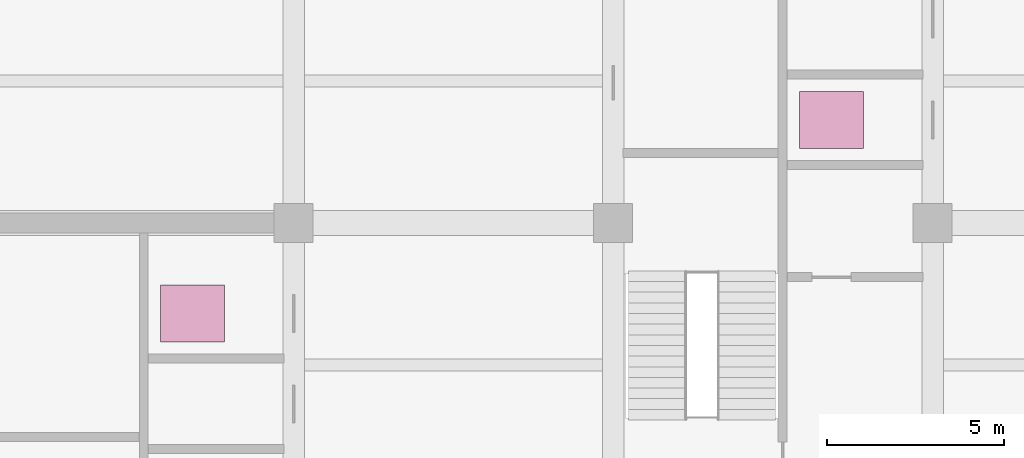
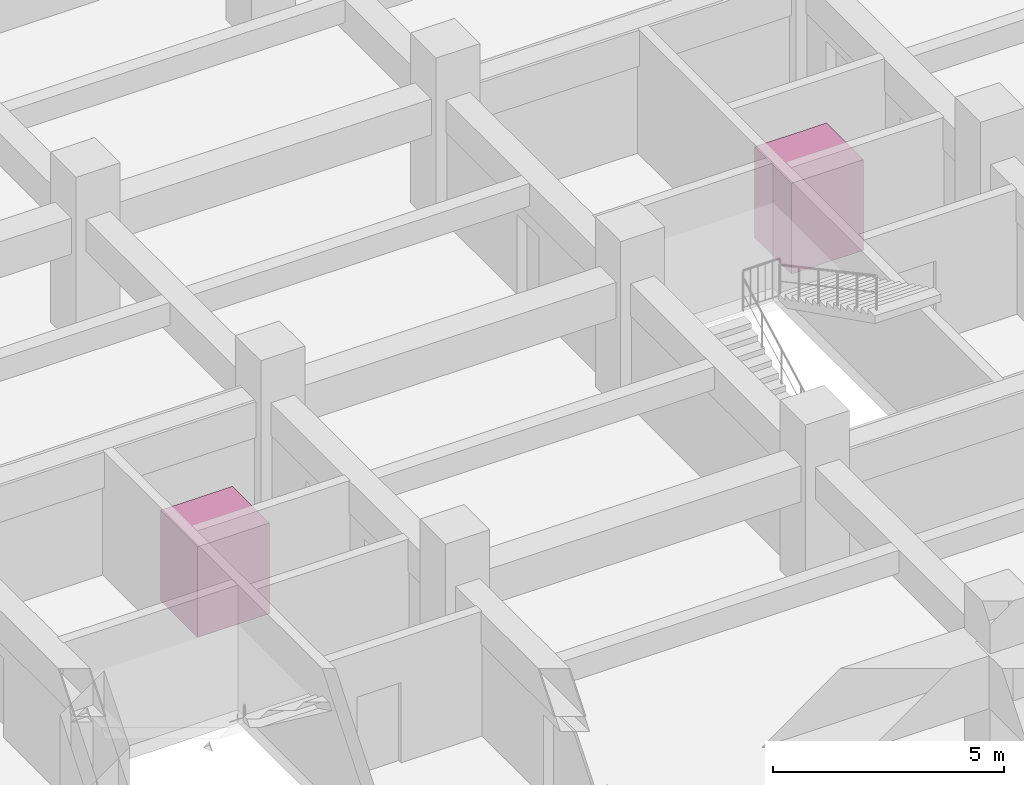
# One storey, part 40 of 40: 2 transport elements.
"""IFC4 building model written with IfcOpenShell, lengths in metres."""

import ifcopenshell
import ifcopenshell.guid

model = None  # the IFC model being written
_history = None  # IfcOwnerHistory: only IFC2X3 demands one
_inside = {}  # id of a spatial element -> (the spatial element, [elements in it])
_under = {}  # id of a project, library or spatial element -> (it, [spatial elements below it])
_declared = {}  # id of a project -> (the project, [libraries it declares])
_typed = {}  # id of a type object -> (the type object, [elements of that type])
_made_of = {}  # id of a material, layer set ... -> (it, [elements and type objects made of it])


def new_model(schema):
    """Start an empty IFC model of exactly this schema.

    Asked for "IFC4X3", IfcOpenShell would pick the latest addendum, in which some entities
    have other attributes; the version numbers below select the first issue.
    IFC2X3 requires an IfcOwnerHistory on every rooted entity: one is made here for all.
    """
    global model, _history
    if schema == "IFC4X3":
        model = ifcopenshell.file(schema_version=(4, 3, 0, 0))
    else:
        model = ifcopenshell.file(schema=schema)
    _inside.clear()
    _under.clear()
    _declared.clear()
    _typed.clear()
    _made_of.clear()
    _history = None
    if model.schema == "IFC2X3":
        org = make("IfcOrganization", Name="unknown")
        user = make(
            "IfcPersonAndOrganization",
            ThePerson=make("IfcPerson", FamilyName="unknown"),
            TheOrganization=org,
        )
        app = make(
            "IfcApplication",
            ApplicationDeveloper=org,
            Version="unknown",
            ApplicationFullName="unknown",
            ApplicationIdentifier="unknown",
        )
        _history = make(
            "IfcOwnerHistory",
            OwningUser=user,
            OwningApplication=app,
            ChangeAction="ADDED",
            CreationDate=0,
        )
    return model


def make(cls, **values):
    """One entity of the class cls with the attributes given. An attribute that is None is left unset."""
    return model.create_entity(
        cls, **{name: value for name, value in values.items() if value is not None}
    )


def rooted(cls, **values):
    """An entity with a GlobalId (a new one), such as an element, a storey or a relation."""
    return make(cls, GlobalId=ifcopenshell.guid.new(), OwnerHistory=_history, **values)


def si_unit(unit_type, name, prefix=None):
    """IfcSIUnit, for example si_unit("LENGTHUNIT", "METRE", prefix="MILLI")."""
    return make("IfcSIUnit", UnitType=unit_type, Prefix=prefix, Name=name)


def assignment(units):
    """IfcUnitAssignment: the units of a project."""
    return None if units is None else make("IfcUnitAssignment", Units=units)


def point(xyz):
    """IfcCartesianPoint."""
    return None if xyz is None else make("IfcCartesianPoint", Coordinates=xyz)


def direction(xyz):
    """IfcDirection."""
    return None if xyz is None else make("IfcDirection", DirectionRatios=xyz)


def frame(location, z_axis=None, x_axis=None):
    """IfcAxis2Placement3D, a coordinate frame: its origin and axes. An axis left out is left unset."""
    return make(
        "IfcAxis2Placement3D",
        Location=point(location),
        Axis=direction(z_axis),
        RefDirection=direction(x_axis),
    )


def frame_2d(location, x_axis=None):
    """IfcAxis2Placement2D, a coordinate frame in the plane: its origin and x axis."""
    return make(
        "IfcAxis2Placement2D", Location=point(location), RefDirection=direction(x_axis)
    )


def origin():
    """The frame at (0, 0, 0) with its axes left unset."""
    return frame((0.0, 0.0, 0.0))


def origin_2d():
    """The frame at (0, 0) in the plane with its x axis left unset."""
    return frame_2d((0.0, 0.0))


def place(relative_to, where):
    """IfcLocalPlacement: puts the frame where relative to a parent placement (None: the world)."""
    return make(
        "IfcLocalPlacement", PlacementRelTo=relative_to, RelativePlacement=where
    )


def context(
    kind, dimensions, precision=None, world=None, true_north=None, identifier=None
):
    """IfcGeometricRepresentationContext, for example the 3D "Model" context."""
    return make(
        "IfcGeometricRepresentationContext",
        ContextIdentifier=identifier,
        ContextType=kind,
        CoordinateSpaceDimension=dimensions,
        Precision=precision,
        WorldCoordinateSystem=world,
        TrueNorth=true_north,
    )


def subcontext(parent, identifier, kind, view, scale=None):
    """IfcGeometricRepresentationSubContext, for example "Body" below "Model"."""
    return make(
        "IfcGeometricRepresentationSubContext",
        ContextIdentifier=identifier,
        ContextType=kind,
        ParentContext=parent,
        TargetScale=scale,
        TargetView=view,
    )


def project(units=None, contexts=None):
    """IfcProject with its units and contexts."""
    return rooted(
        "IfcProject",
        Name="project",
        RepresentationContexts=contexts,
        UnitsInContext=assignment(units),
    )


def spatial(cls, under=None, at=None, **own):
    """A site, building, storey or space (cls), placed at a placement, below another one or the project."""
    s = rooted(cls, ObjectPlacement=at, **own)
    if under is not None:
        _under.setdefault(under.id(), (under, []))[1].append(s)
    return s


def profile(cls, at=None, kind="AREA", **sizes):
    """A parametric profile (cls). Its sizes go by their IFC names, for example OverallWidth=200.0."""
    return make(cls, ProfileType=kind, Position=at, **sizes)


def rectangle(**sizes):
    """IfcRectangleProfileDef."""
    return profile("IfcRectangleProfileDef", **sizes)


def extrude(swept, where, along, depth):
    """IfcExtrudedAreaSolid: the profile swept, set in the frame where, extruded along a direction by depth."""
    return make(
        "IfcExtrudedAreaSolid",
        SweptArea=swept,
        Position=where,
        ExtrudedDirection=direction(along),
        Depth=depth,
    )


def shape(context_of_items, identifier, shape_type, items):
    """IfcShapeRepresentation: the items that make up one representation, for example the "Body"."""
    return make(
        "IfcShapeRepresentation",
        ContextOfItems=context_of_items,
        RepresentationIdentifier=identifier,
        RepresentationType=shape_type,
        Items=items,
    )


def material(Name=None, Category=None):
    """IfcMaterial."""
    return make("IfcMaterial", Name=Name, Category=Category)


def made_of(thing, what):
    """Note that an element or type object is made of a material, layer set ...; save() writes the relation."""
    if what is not None:
        _made_of.setdefault(what.id(), (what, []))[1].append(thing)
    return thing


def type_object(cls, material=None, **own):
    """A type object (cls), such as IfcWallType, which elements share."""
    return made_of(rooted(cls, **own), material)


def element(
    cls,
    number,
    at=None,
    inside=None,
    cuts=None,
    type_object=None,
    material=None,
    context=None,
    identifier="Body",
    shape_type=None,
    held_by="IfcProductDefinitionShape",
    body=None,
    shapes=None,
    **own,
):
    """One element of the class cls, such as IfcWall. Its Tag is "e" and its number.

    at: its placement. inside: the storey or other place that contains it. cuts: it is an
    opening in that element (IfcRelVoidsElement). A single representation is given by context,
    identifier, shape_type and body (its items); several are given by shapes. held_by: the class
    of the entity that holds the representations. save() writes the other relations.
    """
    e = rooted(cls, Tag="e%d" % number, ObjectPlacement=at, **own)
    if body is not None:
        shapes = [shape(context, identifier, shape_type, body)]
    if shapes is not None:
        e.Representation = make(held_by, Representations=shapes)
    if inside is not None:
        _inside.setdefault(inside.id(), (inside, []))[1].append(e)
    if cuts is not None:
        rooted(
            "IfcRelVoidsElement", RelatingBuildingElement=cuts, RelatedOpeningElement=e
        )
    if type_object is not None:
        _typed.setdefault(type_object.id(), (type_object, []))[1].append(e)
    return made_of(e, material)


def aggregate(whole, parts):
    """IfcRelAggregates: a whole, such as a stair, and the parts it consists of."""
    return rooted("IfcRelAggregates", RelatingObject=whole, RelatedObjects=parts)


def save(model, path):
    """Write the relations noted so far, then the file.

    IfcRelAggregates (storeys below a building ...), IfcRelContainedInSpatialStructure (elements
    in a storey), IfcRelDefinesByType, IfcRelAssociatesMaterial and IfcRelDeclares: one each for
    every whole, place, type object, material and project.
    """
    for whole, parts in _under.values():
        aggregate(whole, parts)
    for where, things in _inside.values():
        rooted(
            "IfcRelContainedInSpatialStructure",
            RelatedElements=things,
            RelatingStructure=where,
        )
    for kind, things in _typed.values():
        rooted("IfcRelDefinesByType", RelatedObjects=things, RelatingType=kind)
    for what, things in _made_of.values():
        rooted("IfcRelAssociatesMaterial", RelatedObjects=things, RelatingMaterial=what)
    for by, libraries in _declared.values():
        rooted("IfcRelDeclares", RelatingContext=by, RelatedDefinitions=libraries)
    model.write(path)


model = new_model("IFC4")

# Units and contexts
model_context = context("Model", 3, precision=1e-05, world=origin(), true_north=direction((0.0, 1.0)))
body_context = subcontext(model_context, "Body", "Model", "MODEL_VIEW")
ifc_project = project(units=[si_unit("LENGTHUNIT", "METRE"), si_unit("AREAUNIT", "SQUARE_METRE"), si_unit("VOLUMEUNIT", "CUBIC_METRE"), si_unit("PLANEANGLEUNIT", "RADIAN"), si_unit("MASSUNIT", "GRAM", prefix="KILO")], contexts=[model_context])

# Site, building, storey
site_placement = place(None, origin())
site = spatial("IfcSite", under=ifc_project, at=site_placement, CompositionType="ELEMENT")
building_placement = place(site_placement, origin())
building = spatial("IfcBuilding", under=site, at=building_placement, Name="Zaverband Oceanarium and Marine Research Institute", CompositionType="ELEMENT")
storey_placement = place(building_placement, origin())
storey = spatial("IfcBuildingStorey", under=building, at=storey_placement, Name="L00", CompositionType="ELEMENT", Elevation=0.0)

# Transport elements
ifc_material = material(Name="Steel S355", Category="steel")
transport_element_type = type_object("IfcTransportElementType", Name="LFT-PAX-1800x1600", PredefinedType="ELEVATOR", material=ifc_material)
for number, where, z_axis, x_axis, name in (
    (1, (24.14990234375, 93.449951171875, 0.0), (0.0, 0.0, 1.0), (1.0, 0.0, 0.0), "Passenger Lift LP-02 (LP-02)"),
    (2, (42.14990234375, 98.89990234375, 0.0), (0.0, 0.0, 1.0), (1.0, 0.0, 0.0), "Passenger Lift LP-03 (LP-03)"),
):
    element("IfcTransportElement", number, at=place(storey_placement, frame(where, z_axis=z_axis, x_axis=x_axis)), inside=storey, type_object=transport_element_type, Name=name, PredefinedType="ELEVATOR", context=body_context, shape_type="SweptSolid", body=[
        extrude(rectangle(XDim=1.800048828125, YDim=1.60009765625, at=origin_2d()), origin(), (0.0, 0.0, 1.0), 2.39990234375),
    ])

save(model, "model.ifc")
